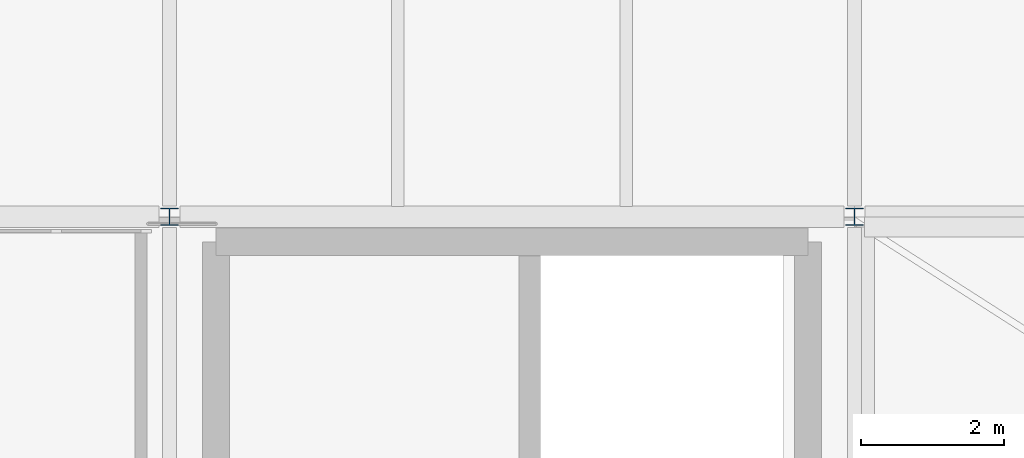
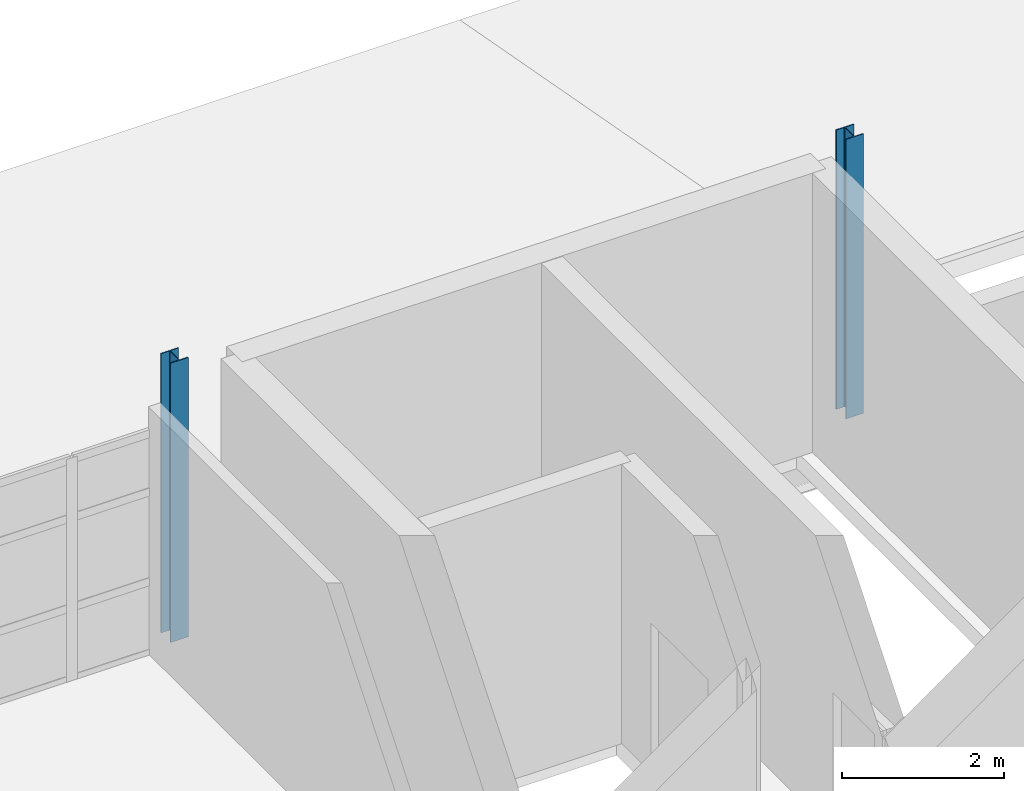
# One storey, part 9 of 58: 2 columns.
"""IFC4 building model written with IfcOpenShell, lengths in metres."""

import ifcopenshell
import ifcopenshell.guid

model = None  # the IFC model being written
_history = None  # IfcOwnerHistory: only IFC2X3 demands one
_inside = {}  # id of a spatial element -> (the spatial element, [elements in it])
_under = {}  # id of a project, library or spatial element -> (it, [spatial elements below it])
_declared = {}  # id of a project -> (the project, [libraries it declares])
_typed = {}  # id of a type object -> (the type object, [elements of that type])
_made_of = {}  # id of a material, layer set ... -> (it, [elements and type objects made of it])


def new_model(schema):
    """Start an empty IFC model of exactly this schema.

    Asked for "IFC4X3", IfcOpenShell would pick the latest addendum, in which some entities
    have other attributes; the version numbers below select the first issue.
    IFC2X3 requires an IfcOwnerHistory on every rooted entity: one is made here for all.
    """
    global model, _history
    if schema == "IFC4X3":
        model = ifcopenshell.file(schema_version=(4, 3, 0, 0))
    else:
        model = ifcopenshell.file(schema=schema)
    _inside.clear()
    _under.clear()
    _declared.clear()
    _typed.clear()
    _made_of.clear()
    _history = None
    if model.schema == "IFC2X3":
        org = make("IfcOrganization", Name="unknown")
        user = make(
            "IfcPersonAndOrganization",
            ThePerson=make("IfcPerson", FamilyName="unknown"),
            TheOrganization=org,
        )
        app = make(
            "IfcApplication",
            ApplicationDeveloper=org,
            Version="unknown",
            ApplicationFullName="unknown",
            ApplicationIdentifier="unknown",
        )
        _history = make(
            "IfcOwnerHistory",
            OwningUser=user,
            OwningApplication=app,
            ChangeAction="ADDED",
            CreationDate=0,
        )
    return model


def make(cls, **values):
    """One entity of the class cls with the attributes given. An attribute that is None is left unset."""
    return model.create_entity(
        cls, **{name: value for name, value in values.items() if value is not None}
    )


def rooted(cls, **values):
    """An entity with a GlobalId (a new one), such as an element, a storey or a relation."""
    return make(cls, GlobalId=ifcopenshell.guid.new(), OwnerHistory=_history, **values)


def si_unit(unit_type, name, prefix=None):
    """IfcSIUnit, for example si_unit("LENGTHUNIT", "METRE", prefix="MILLI")."""
    return make("IfcSIUnit", UnitType=unit_type, Prefix=prefix, Name=name)


def assignment(units):
    """IfcUnitAssignment: the units of a project."""
    return None if units is None else make("IfcUnitAssignment", Units=units)


def point(xyz):
    """IfcCartesianPoint."""
    return None if xyz is None else make("IfcCartesianPoint", Coordinates=xyz)


def direction(xyz):
    """IfcDirection."""
    return None if xyz is None else make("IfcDirection", DirectionRatios=xyz)


def frame(location, z_axis=None, x_axis=None):
    """IfcAxis2Placement3D, a coordinate frame: its origin and axes. An axis left out is left unset."""
    return make(
        "IfcAxis2Placement3D",
        Location=point(location),
        Axis=direction(z_axis),
        RefDirection=direction(x_axis),
    )


def frame_2d(location, x_axis=None):
    """IfcAxis2Placement2D, a coordinate frame in the plane: its origin and x axis."""
    return make(
        "IfcAxis2Placement2D", Location=point(location), RefDirection=direction(x_axis)
    )


def origin():
    """The frame at (0, 0, 0) with its axes left unset."""
    return frame((0.0, 0.0, 0.0))


def origin_2d():
    """The frame at (0, 0) in the plane with its x axis left unset."""
    return frame_2d((0.0, 0.0))


def place(relative_to, where):
    """IfcLocalPlacement: puts the frame where relative to a parent placement (None: the world)."""
    return make(
        "IfcLocalPlacement", PlacementRelTo=relative_to, RelativePlacement=where
    )


def context(
    kind, dimensions, precision=None, world=None, true_north=None, identifier=None
):
    """IfcGeometricRepresentationContext, for example the 3D "Model" context."""
    return make(
        "IfcGeometricRepresentationContext",
        ContextIdentifier=identifier,
        ContextType=kind,
        CoordinateSpaceDimension=dimensions,
        Precision=precision,
        WorldCoordinateSystem=world,
        TrueNorth=true_north,
    )


def subcontext(parent, identifier, kind, view, scale=None):
    """IfcGeometricRepresentationSubContext, for example "Body" below "Model"."""
    return make(
        "IfcGeometricRepresentationSubContext",
        ContextIdentifier=identifier,
        ContextType=kind,
        ParentContext=parent,
        TargetScale=scale,
        TargetView=view,
    )


def project(units=None, contexts=None):
    """IfcProject with its units and contexts."""
    return rooted(
        "IfcProject",
        Name="project",
        RepresentationContexts=contexts,
        UnitsInContext=assignment(units),
    )


def spatial(cls, under=None, at=None, **own):
    """A site, building, storey or space (cls), placed at a placement, below another one or the project."""
    s = rooted(cls, ObjectPlacement=at, **own)
    if under is not None:
        _under.setdefault(under.id(), (under, []))[1].append(s)
    return s


def profile(cls, at=None, kind="AREA", **sizes):
    """A parametric profile (cls). Its sizes go by their IFC names, for example OverallWidth=200.0."""
    return make(cls, ProfileType=kind, Position=at, **sizes)


def i_section(**sizes):
    """IfcIShapeProfileDef."""
    return profile("IfcIShapeProfileDef", **sizes)


def extrude(swept, where, along, depth):
    """IfcExtrudedAreaSolid: the profile swept, set in the frame where, extruded along a direction by depth."""
    return make(
        "IfcExtrudedAreaSolid",
        SweptArea=swept,
        Position=where,
        ExtrudedDirection=direction(along),
        Depth=depth,
    )


def shape(context_of_items, identifier, shape_type, items):
    """IfcShapeRepresentation: the items that make up one representation, for example the "Body"."""
    return make(
        "IfcShapeRepresentation",
        ContextOfItems=context_of_items,
        RepresentationIdentifier=identifier,
        RepresentationType=shape_type,
        Items=items,
    )


def material(Name=None, Category=None):
    """IfcMaterial."""
    return make("IfcMaterial", Name=Name, Category=Category)


def material_profile(
    of_material, cross_section, Name=None, Category=None, Priority=None
):
    """IfcMaterialProfile: a cross section and its material."""
    return make(
        "IfcMaterialProfile",
        Name=Name,
        Material=of_material,
        Profile=cross_section,
        Priority=Priority,
        Category=Category,
    )


def profile_set(profiles, Name=None, composite=None):
    """IfcMaterialProfileSet."""
    return make(
        "IfcMaterialProfileSet",
        Name=Name,
        MaterialProfiles=profiles,
        CompositeProfile=composite,
    )


def made_of(thing, what):
    """Note that an element or type object is made of a material, layer set ...; save() writes the relation."""
    if what is not None:
        _made_of.setdefault(what.id(), (what, []))[1].append(thing)
    return thing


def type_object(cls, material=None, **own):
    """A type object (cls), such as IfcWallType, which elements share."""
    return made_of(rooted(cls, **own), material)


def element(
    cls,
    number,
    at=None,
    inside=None,
    cuts=None,
    type_object=None,
    material=None,
    context=None,
    identifier="Body",
    shape_type=None,
    held_by="IfcProductDefinitionShape",
    body=None,
    shapes=None,
    **own,
):
    """One element of the class cls, such as IfcWall. Its Tag is "e" and its number.

    at: its placement. inside: the storey or other place that contains it. cuts: it is an
    opening in that element (IfcRelVoidsElement). A single representation is given by context,
    identifier, shape_type and body (its items); several are given by shapes. held_by: the class
    of the entity that holds the representations. save() writes the other relations.
    """
    e = rooted(cls, Tag="e%d" % number, ObjectPlacement=at, **own)
    if body is not None:
        shapes = [shape(context, identifier, shape_type, body)]
    if shapes is not None:
        e.Representation = make(held_by, Representations=shapes)
    if inside is not None:
        _inside.setdefault(inside.id(), (inside, []))[1].append(e)
    if cuts is not None:
        rooted(
            "IfcRelVoidsElement", RelatingBuildingElement=cuts, RelatedOpeningElement=e
        )
    if type_object is not None:
        _typed.setdefault(type_object.id(), (type_object, []))[1].append(e)
    return made_of(e, material)


def aggregate(whole, parts):
    """IfcRelAggregates: a whole, such as a stair, and the parts it consists of."""
    return rooted("IfcRelAggregates", RelatingObject=whole, RelatedObjects=parts)


def save(model, path):
    """Write the relations noted so far, then the file.

    IfcRelAggregates (storeys below a building ...), IfcRelContainedInSpatialStructure (elements
    in a storey), IfcRelDefinesByType, IfcRelAssociatesMaterial and IfcRelDeclares: one each for
    every whole, place, type object, material and project.
    """
    for whole, parts in _under.values():
        aggregate(whole, parts)
    for where, things in _inside.values():
        rooted(
            "IfcRelContainedInSpatialStructure",
            RelatedElements=things,
            RelatingStructure=where,
        )
    for kind, things in _typed.values():
        rooted("IfcRelDefinesByType", RelatedObjects=things, RelatingType=kind)
    for what, things in _made_of.values():
        rooted("IfcRelAssociatesMaterial", RelatedObjects=things, RelatingMaterial=what)
    for by, libraries in _declared.values():
        rooted("IfcRelDeclares", RelatingContext=by, RelatedDefinitions=libraries)
    model.write(path)


model = new_model("IFC4")

# Units and contexts
model_context = context("Model", 3, precision=1e-05, world=origin(), true_north=direction((0.0, 1.0)))
body_context = subcontext(model_context, "Body", "Model", "MODEL_VIEW")
ifc_project = project(units=[si_unit("LENGTHUNIT", "METRE"), si_unit("AREAUNIT", "SQUARE_METRE"), si_unit("VOLUMEUNIT", "CUBIC_METRE"), si_unit("PLANEANGLEUNIT", "RADIAN"), si_unit("MASSUNIT", "GRAM", prefix="KILO")], contexts=[model_context])

# Site, building, storey
site_placement = place(None, origin())
site = spatial("IfcSite", under=ifc_project, at=site_placement, CompositionType="ELEMENT")
building_placement = place(site_placement, origin())
building = spatial("IfcBuilding", under=site, at=building_placement, Name="Yeouljin Market Hall", CompositionType="ELEMENT")
storey_placement = place(building_placement, frame((0.0, 0.0, 10.800048828125)))
storey = spatial("IfcBuildingStorey", under=building, at=storey_placement, Name="L02", CompositionType="ELEMENT", Elevation=10.800048828125)

# Columns
ifc_material = material(Name="Steel SM355", Category="steel")
ifc_material_profile = material_profile(ifc_material, i_section(OverallWidth=0.25, OverallDepth=0.25, WebThickness=0.009033203125, FlangeThickness=0.013916015625, FilletRadius=0.01611328125, at=origin_2d()), Name="H-250x250x9x14")
ifc_profile_set = profile_set([ifc_material_profile], Name="Steel SM355")
column_type = type_object("IfcColumnType", Name="Col_H-250x250x9x14", PredefinedType="COLUMN", material=ifc_profile_set)
for number, where, z_axis, x_axis, name in (
    (1, (102.60009765625, 98.39990234375, 0.0), (0.0, 0.0, 1.0), (1.0, 0.0, 0.0), "Column G-12-10 (L02)"),
    (2, (112.199951171875, 98.39990234375, 0.0), (0.0, 0.0, 1.0), (1.0, 0.0, 0.0), "Column G-13-10 (L02)"),
):
    element("IfcColumn", number, at=place(storey_placement, frame(where, z_axis=z_axis, x_axis=x_axis)), inside=storey, type_object=column_type, Name=name, PredefinedType="COLUMN", context=body_context, shape_type="SweptSolid", body=[
        extrude(i_section(OverallWidth=0.25, OverallDepth=0.25, WebThickness=0.009033203125, FlangeThickness=0.013916015625, FilletRadius=0.01611328125, at=origin_2d()), origin(), (0.0, 0.0, 1.0), 4.199951171875),
    ])

save(model, "model.ifc")
